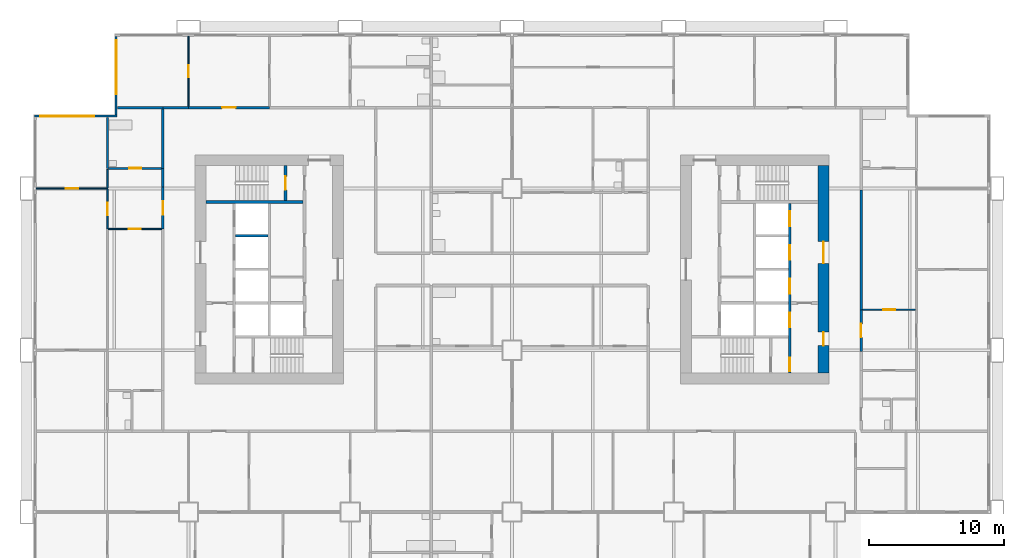
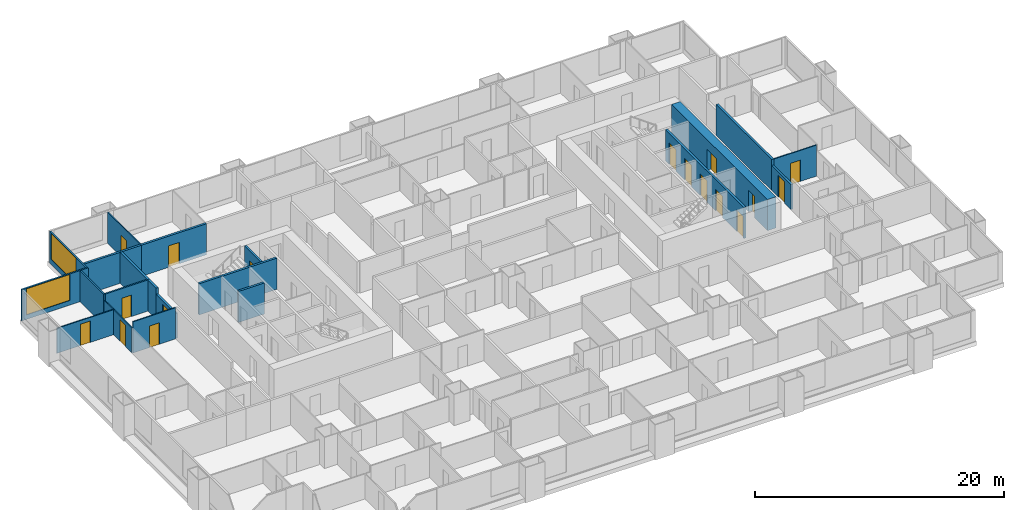
# One storey, part 7 of 13: 23 walls, 17 doors, 2 windows, 19 openings.
"""IFC4 building model written with IfcOpenShell, lengths in metres."""

from ifc_helpers import new_model, si_unit, direction, frame, frame_2d, origin, place, context, subcontext, project, spatial, rectangle, extrude, material, layer, layer_set, type_object, element, fill, save


model = new_model("IFC4")

# Units and contexts
model_context = context("Model", 3, precision=1e-05, world=origin(), true_north=direction((0.0, 1.0)))
body_context = subcontext(model_context, "Body", "Model", "MODEL_VIEW")
ifc_project = project(units=[si_unit("LENGTHUNIT", "METRE"), si_unit("AREAUNIT", "SQUARE_METRE"), si_unit("VOLUMEUNIT", "CUBIC_METRE"), si_unit("PLANEANGLEUNIT", "RADIAN"), si_unit("MASSUNIT", "GRAM", prefix="KILO")], contexts=[model_context])

# Site, building, storey
site_placement = place(None, origin())
site = spatial("IfcSite", under=ifc_project, at=site_placement, CompositionType="ELEMENT")
building_placement = place(site_placement, origin())
building = spatial("IfcBuilding", under=site, at=building_placement, Name="Kitamizu Gate Tower and Museum", CompositionType="ELEMENT")
storey_placement = place(building_placement, frame((0.0, 0.0, 40.35009765625)))
storey = spatial("IfcBuildingStorey", under=building, at=storey_placement, Name="L08", CompositionType="ELEMENT", Elevation=40.35009765625)

# Wall, openings, doors
ifc_material_1 = material(Name="Concrete Fc60", Category="concrete")
ifc_layer_1 = layer(ifc_material_1, 0.800048828125)
ifc_layer_set_1 = layer_set([ifc_layer_1], Name="Concrete Fc60")
wall_type_1 = type_object("IfcWallType", Name="Core wall 800", PredefinedType="SHEAR", material=ifc_layer_set_1)
wall_1_placement = place(storey_placement, frame((59.10009765625, 22.300048828125, 0.0), z_axis=(0.0, 0.0, 1.0), x_axis=(0.0, 1.0, 0.0)))
wall_1 = element("IfcWall", 1, at=wall_1_placement, inside=storey, type_object=wall_type_1, Name="Core wall EOUT", PredefinedType="SHEAR", context=body_context, shape_type="SweptSolid", body=[
    extrude(rectangle(XDim=15.39990234375, YDim=0.800048828125, at=frame_2d((7.699951171875, 0.0))), origin(), (0.0, 0.0, 1.0), 3.0498046875),
])
opening_1_placement = place(wall_1_placement, frame((8.14990234375, 0.0, 0.0)))
opening_1 = element("IfcOpeningElement", 2, at=opening_1_placement, cuts=wall_1, Name="Opening L08-095", PredefinedType="OPENING", context=body_context, shape_type="SweptSolid", body=[
    extrude(rectangle(XDim=1.60009765625, YDim=2.10009765625, at=frame_2d((0.800048828125, 1.050048828125))), frame((0.0, 0.41015625, 0.0), z_axis=(0.0, -1.0, 0.0), x_axis=(1.0, 0.0, 0.0)), (0.0, 0.0, 1.0), 0.820068359375),
])
opening_2_placement = place(wall_1_placement, frame((2.050048828125, 0.0, 0.0)))
opening_2 = element("IfcOpeningElement", 3, at=opening_2_placement, cuts=wall_1, Name="Opening L08-096", PredefinedType="OPENING", context=body_context, shape_type="SweptSolid", body=[
    extrude(rectangle(XDim=1.0, YDim=2.10009765625, at=frame_2d((0.5, 1.050048828125))), frame((0.0, 0.41015625, 0.0), z_axis=(0.0, -1.0, 0.0), x_axis=(1.0, 0.0, 0.0)), (0.0, 0.0, 1.0), 0.820068359375),
])
ifc_material_2 = material(Name="Timber door set", Category="wood")
door_type_1 = type_object("IfcDoorType", Name="Entrance door 1600", OperationType="DOUBLE_DOOR_SINGLE_SWING", PredefinedType="DOOR", material=ifc_material_2)
door_1_placement = place(opening_1_placement, origin())
door_1 = element("IfcDoor", 4, at=door_1_placement, inside=storey, type_object=door_type_1, Name="Lobby door L08-095", OperationType="DOUBLE_DOOR_SINGLE_SWING", OverallHeight=2.10009765625, OverallWidth=1.60009765625, PredefinedType="DOOR", context=body_context, shape_type="SweptSolid", body=[
    extrude(rectangle(XDim=1.60009765625, YDim=2.10009765625, at=frame_2d((0.800048828125, 1.050048828125))), frame((0.0, 0.02490234375, 0.0), z_axis=(0.0, -1.0, 0.0), x_axis=(1.0, 0.0, 0.0)), (0.0, 0.0, 1.0), 0.050048828125),
])
fill(opening_1, door_1)
ifc_material_3 = material(Name="Hollow metal door set")
door_type_2 = type_object("IfcDoorType", Name="Fire door 1000", OperationType="NOTDEFINED", PredefinedType="DOOR", material=ifc_material_3)
door_2_placement = place(opening_2_placement, origin())
door_2 = element("IfcDoor", 5, at=door_2_placement, inside=storey, type_object=door_type_2, Name="Fire-fighting lobby door L08-096", OperationType="SINGLE_SWING_LEFT", OverallHeight=2.10009765625, OverallWidth=1.0, PredefinedType="DOOR", context=body_context, shape_type="SweptSolid", body=[
    extrude(rectangle(XDim=1.0, YDim=2.10009765625, at=frame_2d((0.5, 1.050048828125))), frame((0.0, 0.02490234375, 0.0), z_axis=(0.0, -1.0, 0.0), x_axis=(1.0, 0.0, 0.0)), (0.0, 0.0, 1.0), 0.050048828125),
])
fill(opening_2, door_2)

# Wall, opening, door
ifc_material_4 = material(Name="Gypsum board on galvanised stud")
ifc_layer_2 = layer(ifc_material_4, 0.10009765625)
ifc_layer_set_2 = layer_set([ifc_layer_2], Name="Gypsum board on galvanised stud")
wall_type_2 = type_object("IfcWallType", Name="Partition 100 NOT RATED", PredefinedType="PARTITIONING", material=ifc_layer_set_2)
wall_2_placement = place(storey_placement, frame((12.0, 42.10009765625, 0.0), z_axis=(0.0, 0.0, 1.0), x_axis=(0.0, 1.0, 0.0)))
wall_2 = element("IfcWall", 6, at=wall_2_placement, inside=storey, type_object=wall_type_2, Name="Partition L08-114", PredefinedType="PARTITIONING", context=body_context, shape_type="SweptSolid", body=[
    extrude(rectangle(XDim=5.179931640625, YDim=0.10009765625, at=frame_2d((2.58984375, 0.0))), origin(), (0.0, 0.0, 1.0), 3.0498046875),
])
opening_3_placement = place(wall_2_placement, frame((2.139892578125, 0.0, 0.0)))
opening_3 = element("IfcOpeningElement", 7, at=opening_3_placement, cuts=wall_2, Name="Opening L08-043", PredefinedType="OPENING", context=body_context, shape_type="SweptSolid", body=[
    extrude(rectangle(XDim=0.89990234375, YDim=2.10009765625, at=frame_2d((0.449951171875, 1.050048828125))), frame((0.0, 0.06005859375, 0.0), z_axis=(0.0, -1.0, 0.0), x_axis=(1.0, 0.0, 0.0)), (0.0, 0.0, 1.0), 0.1201171875),
])
ifc_material_5 = material(Name="Timber door set", Category="wood")
door_type_3 = type_object("IfcDoorType", Name="Room door 900", OperationType="NOTDEFINED", PredefinedType="DOOR", material=ifc_material_5)
door_3_placement = place(opening_3_placement, origin())
door_3 = element("IfcDoor", 8, at=door_3_placement, inside=storey, type_object=door_type_3, Name="Door L08-043", OperationType="SINGLE_SWING_LEFT", OverallHeight=2.10009765625, OverallWidth=0.89990234375, PredefinedType="DOOR", context=body_context, shape_type="SweptSolid", body=[
    extrude(rectangle(XDim=0.89990234375, YDim=2.10009765625, at=frame_2d((0.449951171875, 1.050048828125))), frame((0.0, 0.02490234375, 0.0), z_axis=(0.0, -1.0, 0.0), x_axis=(1.0, 0.0, 0.0)), (0.0, 0.0, 1.0), 0.050048828125),
])
fill(opening_3, door_3)

wall_3_placement = place(storey_placement, frame((6.0, 36.0, 0.0), z_axis=(0.0, 0.0, 1.0), x_axis=(-1.0, 0.0, 0.0)))
wall_3 = element("IfcWall", 9, at=wall_3_placement, inside=storey, type_object=wall_type_2, Name="Partition L08-137", PredefinedType="PARTITIONING", context=body_context, shape_type="SweptSolid", body=[
    extrude(rectangle(XDim=5.280029296875, YDim=0.10009765625, at=frame_2d((2.64013671875, 0.0))), origin(), (0.0, 0.0, 1.0), 2.449951171875),
])
opening_4_placement = place(wall_3_placement, frame((2.18994140625, 0.0, 0.0)))
opening_4 = element("IfcOpeningElement", 10, at=opening_4_placement, cuts=wall_3, Name="Opening L08-051", PredefinedType="OPENING", context=body_context, shape_type="SweptSolid", body=[
    extrude(rectangle(XDim=0.89990234375, YDim=2.10009765625, at=frame_2d((0.449951171875, 1.050048828125))), frame((0.0, 0.06005859375, 0.0), z_axis=(0.0, -1.0, 0.0), x_axis=(1.0, 0.0, 0.0)), (0.0, 0.0, 1.0), 0.1201171875),
])
door_4_placement = place(opening_4_placement, frame((0.89990234375, 0.0, 0.0), x_axis=(-1.0, 0.0, 0.0)))
door_4 = element("IfcDoor", 11, at=door_4_placement, inside=storey, type_object=door_type_3, Name="Door L08-051", OperationType="SINGLE_SWING_RIGHT", OverallHeight=2.10009765625, OverallWidth=0.89990234375, PredefinedType="DOOR", context=body_context, shape_type="SweptSolid", body=[
    extrude(rectangle(XDim=0.89990234375, YDim=2.10009765625, at=frame_2d((0.449951171875, 1.050048828125))), frame((0.0, 0.02490234375, 0.0), z_axis=(0.0, -1.0, 0.0), x_axis=(1.0, 0.0, 0.0)), (0.0, 0.0, 1.0), 0.050048828125),
])
fill(opening_4, door_4)

wall_4_placement = place(storey_placement, frame((6.0, 33.0, 0.0), z_axis=(0.0, 0.0, 1.0), x_axis=(0.0, 1.0, 0.0)))
wall_4 = element("IfcWall", 12, at=wall_4_placement, inside=storey, type_object=wall_type_2, Name="Partition L08-139", PredefinedType="PARTITIONING", context=body_context, shape_type="SweptSolid", body=[
    extrude(rectangle(XDim=2.949951171875, YDim=0.10009765625, at=frame_2d((1.47509765625, 0.0))), origin(), (0.0, 0.0, 1.0), 2.449951171875),
])
opening_5_placement = place(wall_4_placement, frame((1.02490234375, 0.0, 0.0)))
opening_5 = element("IfcOpeningElement", 13, at=opening_5_placement, cuts=wall_4, Name="Opening L08-048", PredefinedType="OPENING", context=body_context, shape_type="SweptSolid", body=[
    extrude(rectangle(XDim=0.89990234375, YDim=2.10009765625, at=frame_2d((0.449951171875, 1.050048828125))), frame((0.0, 0.06005859375, 0.0), z_axis=(0.0, -1.0, 0.0), x_axis=(1.0, 0.0, 0.0)), (0.0, 0.0, 1.0), 0.1201171875),
])
door_5_placement = place(opening_5_placement, origin())
door_5 = element("IfcDoor", 14, at=door_5_placement, inside=storey, type_object=door_type_3, Name="Door L08-048", OperationType="SINGLE_SWING_LEFT", OverallHeight=2.10009765625, OverallWidth=0.89990234375, PredefinedType="DOOR", context=body_context, shape_type="SweptSolid", body=[
    extrude(rectangle(XDim=0.89990234375, YDim=2.10009765625, at=frame_2d((0.449951171875, 1.050048828125))), frame((0.0, 0.02490234375, 0.0), z_axis=(0.0, -1.0, 0.0), x_axis=(1.0, 0.0, 0.0)), (0.0, 0.0, 1.0), 0.050048828125),
])
fill(opening_5, door_5)

# Wall
wall_5_placement = place(storey_placement, frame((6.0, 36.050048828125, 0.0), z_axis=(0.0, 0.0, 1.0), x_axis=(0.0, 1.0, 0.0)))
element("IfcWall", 15, at=wall_5_placement, inside=storey, type_object=wall_type_2, Name="Partition L08-140", PredefinedType="PARTITIONING", context=body_context, shape_type="SweptSolid", body=[
    extrude(rectangle(XDim=1.375, YDim=0.10009765625, at=frame_2d((0.6875, 0.0))), origin(), (0.0, 0.0, 1.0), 2.449951171875),
])

# Wall, opening, door
wall_6_placement = place(storey_placement, frame((10.0, 33.0, 0.0), z_axis=(0.0, 0.0, 1.0), x_axis=(-1.0, 0.0, 0.0)))
wall_6 = element("IfcWall", 16, at=wall_6_placement, inside=storey, type_object=wall_type_2, Name="Partition L08-146", PredefinedType="PARTITIONING", context=body_context, shape_type="SweptSolid", body=[
    extrude(rectangle(XDim=3.949951171875, YDim=0.10009765625, at=frame_2d((1.97509765625, 0.0))), origin(), (0.0, 0.0, 1.0), 3.0498046875),
])
opening_6_placement = place(wall_6_placement, frame((1.52490234375, 0.0, 0.0)))
opening_6 = element("IfcOpeningElement", 17, at=opening_6_placement, cuts=wall_6, Name="Opening L08-049", PredefinedType="OPENING", context=body_context, shape_type="SweptSolid", body=[
    extrude(rectangle(XDim=0.89990234375, YDim=2.10009765625, at=frame_2d((0.449951171875, 1.050048828125))), frame((0.0, 0.06005859375, 0.0), z_axis=(0.0, -1.0, 0.0), x_axis=(1.0, 0.0, 0.0)), (0.0, 0.0, 1.0), 0.1201171875),
])
door_6_placement = place(opening_6_placement, frame((0.89990234375, 0.0, 0.0), x_axis=(-1.0, 0.0, 0.0)))
door_6 = element("IfcDoor", 18, at=door_6_placement, inside=storey, type_object=door_type_3, Name="Door L08-049", OperationType="SINGLE_SWING_RIGHT", OverallHeight=2.10009765625, OverallWidth=0.89990234375, PredefinedType="DOOR", context=body_context, shape_type="SweptSolid", body=[
    extrude(rectangle(XDim=0.89990234375, YDim=2.10009765625, at=frame_2d((0.449951171875, 1.050048828125))), frame((0.0, 0.02490234375, 0.0), z_axis=(0.0, -1.0, 0.0), x_axis=(1.0, 0.0, 0.0)), (0.0, 0.0, 1.0), 0.050048828125),
])
fill(opening_6, door_6)

wall_7_placement = place(storey_placement, frame((65.949951171875, 27.0, 0.0), z_axis=(0.0, 0.0, 1.0), x_axis=(-1.0, 0.0, 0.0)))
wall_7 = element("IfcWall", 19, at=wall_7_placement, inside=storey, type_object=wall_type_2, Name="Partition L08-207", PredefinedType="PARTITIONING", context=body_context, shape_type="SweptSolid", body=[
    extrude(rectangle(XDim=3.949951171875, YDim=0.10009765625, at=frame_2d((1.97509765625, 0.0))), origin(), (0.0, 0.0, 1.0), 3.0498046875),
])
opening_7_placement = place(wall_7_placement, frame((1.52490234375, 0.0, 0.0)))
opening_7 = element("IfcOpeningElement", 20, at=opening_7_placement, cuts=wall_7, Name="Opening L08-071", PredefinedType="OPENING", context=body_context, shape_type="SweptSolid", body=[
    extrude(rectangle(XDim=0.89990234375, YDim=2.10009765625, at=frame_2d((0.449951171875, 1.050048828125))), frame((0.0, 0.06005859375, 0.0), z_axis=(0.0, -1.0, 0.0), x_axis=(1.0, 0.0, 0.0)), (0.0, 0.0, 1.0), 0.1201171875),
])
door_7_placement = place(opening_7_placement, origin())
door_7 = element("IfcDoor", 21, at=door_7_placement, inside=storey, type_object=door_type_3, Name="Door L08-071", OperationType="SINGLE_SWING_LEFT", OverallHeight=2.10009765625, OverallWidth=0.89990234375, PredefinedType="DOOR", context=body_context, shape_type="SweptSolid", body=[
    extrude(rectangle(XDim=0.89990234375, YDim=2.10009765625, at=frame_2d((0.449951171875, 1.050048828125))), frame((0.0, 0.02490234375, 0.0), z_axis=(0.0, -1.0, 0.0), x_axis=(1.0, 0.0, 0.0)), (0.0, 0.0, 1.0), 0.050048828125),
])
fill(opening_7, door_7)

# Wall
ifc_material_6 = material(Name="Gypsum board on galvanised stud")
ifc_layer_3 = layer(ifc_material_6, 0.14990234375)
ifc_layer_set_3 = layer_set([ifc_layer_3], Name="Gypsum board on galvanised stud")
wall_type_3 = type_object("IfcWallType", Name="Partition 150", PredefinedType="PARTITIONING", material=ifc_layer_set_3)
wall_8_placement = place(storey_placement, frame((6.0, 37.5, 0.0), z_axis=(0.0, 0.0, 1.0), x_axis=(0.0, 1.0, 0.0)))
element("IfcWall", 22, at=wall_8_placement, inside=storey, type_object=wall_type_3, Name="Partition L08-141", PredefinedType="PARTITIONING", context=body_context, shape_type="SweptSolid", body=[
    extrude(rectangle(XDim=3.780029296875, YDim=0.14990234375, at=frame_2d((1.89013671875, 0.0))), origin(), (0.0, 0.0, 1.0), 3.0498046875),
])

# Wall, opening, door
wall_9_placement = place(storey_placement, frame((10.0, 37.5, 0.0), z_axis=(0.0, 0.0, 1.0), x_axis=(-1.0, 0.0, 0.0)))
wall_9 = element("IfcWall", 23, at=wall_9_placement, inside=storey, type_object=wall_type_3, Name="Partition L08-149", PredefinedType="PARTITIONING", context=body_context, shape_type="SweptSolid", body=[
    extrude(rectangle(XDim=3.925048828125, YDim=0.14990234375, at=frame_2d((1.96240234375, 0.0))), origin(), (0.0, 0.0, 1.0), 3.0498046875),
])
opening_8_placement = place(wall_9_placement, frame((1.512451171875, 0.0, 0.0)))
opening_8 = element("IfcOpeningElement", 24, at=opening_8_placement, cuts=wall_9, Name="Opening L08-054", PredefinedType="OPENING", context=body_context, shape_type="SweptSolid", body=[
    extrude(rectangle(XDim=0.89990234375, YDim=2.10009765625, at=frame_2d((0.449951171875, 1.050048828125))), frame((0.0, 0.0849609375, 0.0), z_axis=(0.0, -1.0, 0.0), x_axis=(1.0, 0.0, 0.0)), (0.0, 0.0, 1.0), 0.169921875),
])
ifc_material_7 = material(Name="Timber door set", Category="wood")
door_type_4 = type_object("IfcDoorType", Name="Bathroom door 900", OperationType="NOTDEFINED", PredefinedType="DOOR", material=ifc_material_7)
door_8_placement = place(opening_8_placement, frame((0.89990234375, 0.0, 0.0), x_axis=(-1.0, 0.0, 0.0)))
door_8 = element("IfcDoor", 25, at=door_8_placement, inside=storey, type_object=door_type_4, Name="Bathroom door L08-054", OperationType="SINGLE_SWING_LEFT", OverallHeight=2.10009765625, OverallWidth=0.89990234375, PredefinedType="DOOR", context=body_context, shape_type="SweptSolid", body=[
    extrude(rectangle(XDim=0.89990234375, YDim=2.10009765625, at=frame_2d((0.449951171875, 1.050048828125))), frame((0.0, 0.02490234375, 0.0), z_axis=(0.0, -1.0, 0.0), x_axis=(1.0, 0.0, 0.0)), (0.0, 0.0, 1.0), 0.050048828125),
])
fill(opening_8, door_8)

# Walls
ifc_material_8 = material(Name="Gypsum board on galvanised stud")
ifc_layer_4 = layer(ifc_material_8, 0.199951171875)
ifc_layer_set_4 = layer_set([ifc_layer_4], Name="Gypsum board on galvanised stud")
wall_type_4 = type_object("IfcWallType", Name="Partition 200", PredefinedType="PARTITIONING", material=ifc_layer_set_4)
wall_10_placement = place(storey_placement, frame((6.719970703125, 42.0, 0.0), z_axis=(0.0, 0.0, 1.0), x_axis=(1.0, 0.0, 0.0)))
element("IfcWall", 26, at=wall_10_placement, inside=storey, type_object=wall_type_4, Name="Partition L08-115", PredefinedType="PARTITIONING", context=body_context, shape_type="SweptSolid", body=[
    extrude(rectangle(XDim=3.380126953125, YDim=0.199951171875, at=frame_2d((1.68994140625, 0.0))), origin(), (0.0, 0.0, 1.0), 3.0498046875),
])
wall_11_placement = place(storey_placement, frame((10.10009765625, 42.0, 0.0), z_axis=(0.0, 0.0, 1.0), x_axis=(1.0, 0.0, 0.0)))
element("IfcWall", 27, at=wall_11_placement, inside=storey, type_object=wall_type_4, Name="Partition L08-116", PredefinedType="PARTITIONING", context=body_context, shape_type="SweptSolid", body=[
    extrude(rectangle(XDim=1.89990234375, YDim=0.199951171875, at=frame_2d((0.949951171875, 0.0))), origin(), (0.0, 0.0, 1.0), 3.0498046875),
])

# Wall, opening, door
wall_12_placement = place(storey_placement, frame((12.0, 42.0, 0.0), z_axis=(0.0, 0.0, 1.0), x_axis=(1.0, 0.0, 0.0)))
wall_12 = element("IfcWall", 28, at=wall_12_placement, inside=storey, type_object=wall_type_4, Name="Partition L08-118", PredefinedType="PARTITIONING", context=body_context, shape_type="SweptSolid", body=[
    extrude(rectangle(XDim=6.0, YDim=0.199951171875, at=frame_2d((3.0, 0.0))), origin(), (0.0, 0.0, 1.0), 3.0498046875),
])
opening_9_placement = place(wall_12_placement, frame((2.5, 0.0, 0.0)))
opening_9 = element("IfcOpeningElement", 29, at=opening_9_placement, cuts=wall_12, Name="Opening L08-042", PredefinedType="OPENING", context=body_context, shape_type="SweptSolid", body=[
    extrude(rectangle(XDim=1.0, YDim=2.10009765625, at=frame_2d((0.5, 1.050048828125))), frame((0.0, 0.10986328125, 0.0), z_axis=(0.0, -1.0, 0.0), x_axis=(1.0, 0.0, 0.0)), (0.0, 0.0, 1.0), 0.219970703125),
])
ifc_material_9 = material(Name="Timber door set", Category="wood")
door_type_5 = type_object("IfcDoorType", Name="Flat entrance door 1000", OperationType="NOTDEFINED", PredefinedType="DOOR", material=ifc_material_9)
door_9_placement = place(opening_9_placement, origin())
door_9 = element("IfcDoor", 30, at=door_9_placement, inside=storey, type_object=door_type_5, Name="Flat entrance door L08-042", OperationType="SINGLE_SWING_RIGHT", OverallHeight=2.10009765625, OverallWidth=1.0, PredefinedType="DOOR", context=body_context, shape_type="SweptSolid", body=[
    extrude(rectangle(XDim=1.0, YDim=2.10009765625, at=frame_2d((0.5, 1.050048828125))), frame((0.0, 0.02490234375, 0.0), z_axis=(0.0, -1.0, 0.0), x_axis=(1.0, 0.0, 0.0)), (0.0, 0.0, 1.0), 0.050048828125),
])
fill(opening_9, door_9)

wall_13_placement = place(storey_placement, frame((10.10009765625, 33.0, 0.0), z_axis=(0.0, 0.0, 1.0), x_axis=(0.0, 1.0, 0.0)))
wall_13 = element("IfcWall", 31, at=wall_13_placement, inside=storey, type_object=wall_type_4, Name="Partition L08-150", PredefinedType="PARTITIONING", context=body_context, shape_type="SweptSolid", body=[
    extrude(rectangle(XDim=3.10009765625, YDim=0.199951171875, at=frame_2d((1.550048828125, 0.0))), origin(), (0.0, 0.0, 1.0), 2.449951171875),
])
opening_10_placement = place(wall_13_placement, frame((1.050048828125, 0.0, 0.0)))
opening_10 = element("IfcOpeningElement", 32, at=opening_10_placement, cuts=wall_13, Name="Opening L08-047", PredefinedType="OPENING", context=body_context, shape_type="SweptSolid", body=[
    extrude(rectangle(XDim=1.0, YDim=2.10009765625, at=frame_2d((0.5, 1.050048828125))), frame((0.0, 0.10986328125, 0.0), z_axis=(0.0, -1.0, 0.0), x_axis=(1.0, 0.0, 0.0)), (0.0, 0.0, 1.0), 0.219970703125),
])
door_10_placement = place(opening_10_placement, origin())
door_10 = element("IfcDoor", 33, at=door_10_placement, inside=storey, type_object=door_type_5, Name="Flat entrance door L08-047", OperationType="SINGLE_SWING_RIGHT", OverallHeight=2.10009765625, OverallWidth=1.0, PredefinedType="DOOR", context=body_context, shape_type="SweptSolid", body=[
    extrude(rectangle(XDim=1.0, YDim=2.10009765625, at=frame_2d((0.5, 1.050048828125))), frame((0.0, 0.02490234375, 0.0), z_axis=(0.0, -1.0, 0.0), x_axis=(1.0, 0.0, 0.0)), (0.0, 0.0, 1.0), 0.050048828125),
])
fill(opening_10, door_10)

# Walls
wall_14_placement = place(storey_placement, frame((10.10009765625, 36.10009765625, 0.0), z_axis=(0.0, 0.0, 1.0), x_axis=(0.0, 1.0, 0.0)))
element("IfcWall", 34, at=wall_14_placement, inside=storey, type_object=wall_type_4, Name="Partition L08-151", PredefinedType="PARTITIONING", context=body_context, shape_type="SweptSolid", body=[
    extrude(rectangle(XDim=1.39990234375, YDim=0.199951171875, at=frame_2d((0.699951171875, 0.0))), origin(), (0.0, 0.0, 1.0), 3.0498046875),
])
wall_15_placement = place(storey_placement, frame((10.10009765625, 37.5, 0.0), z_axis=(0.0, 0.0, 1.0), x_axis=(0.0, 1.0, 0.0)))
element("IfcWall", 35, at=wall_15_placement, inside=storey, type_object=wall_type_4, Name="Partition L08-152", PredefinedType="PARTITIONING", context=body_context, shape_type="SweptSolid", body=[
    extrude(rectangle(XDim=4.39990234375, YDim=0.199951171875, at=frame_2d((2.199951171875, 0.0))), origin(), (0.0, 0.0, 1.0), 3.0498046875),
])

# Wall, opening, door
wall_16_placement = place(storey_placement, frame((61.89990234375, 27.0, 0.0), z_axis=(0.0, 0.0, 1.0), x_axis=(0.0, -1.0, 0.0)))
wall_16 = element("IfcWall", 36, at=wall_16_placement, inside=storey, type_object=wall_type_4, Name="Partition L08-208", PredefinedType="PARTITIONING", context=body_context, shape_type="SweptSolid", body=[
    extrude(rectangle(XDim=3.10009765625, YDim=0.199951171875, at=frame_2d((1.550048828125, 0.0))), origin(), (0.0, 0.0, 1.0), 2.449951171875),
])
opening_11_placement = place(wall_16_placement, frame((1.050048828125, 0.0, 0.0)))
opening_11 = element("IfcOpeningElement", 37, at=opening_11_placement, cuts=wall_16, Name="Opening L08-069", PredefinedType="OPENING", context=body_context, shape_type="SweptSolid", body=[
    extrude(rectangle(XDim=1.0, YDim=2.10009765625, at=frame_2d((0.5, 1.050048828125))), frame((0.0, 0.10986328125, 0.0), z_axis=(0.0, -1.0, 0.0), x_axis=(1.0, 0.0, 0.0)), (0.0, 0.0, 1.0), 0.219970703125),
])
door_11_placement = place(opening_11_placement, origin())
door_11 = element("IfcDoor", 38, at=door_11_placement, inside=storey, type_object=door_type_5, Name="Flat entrance door L08-069", OperationType="SINGLE_SWING_RIGHT", OverallHeight=2.10009765625, OverallWidth=1.0, PredefinedType="DOOR", context=body_context, shape_type="SweptSolid", body=[
    extrude(rectangle(XDim=1.0, YDim=2.10009765625, at=frame_2d((0.5, 1.050048828125))), frame((0.0, 0.02490234375, 0.0), z_axis=(0.0, -1.0, 0.0), x_axis=(1.0, 0.0, 0.0)), (0.0, 0.0, 1.0), 0.050048828125),
])
fill(opening_11, door_11)

# Walls
wall_17_placement = place(storey_placement, frame((61.89990234375, 35.89990234375, 0.0), z_axis=(0.0, 0.0, 1.0), x_axis=(0.0, -1.0, 0.0)))
element("IfcWall", 39, at=wall_17_placement, inside=storey, type_object=wall_type_4, Name="Partition L08-212", PredefinedType="PARTITIONING", context=body_context, shape_type="SweptSolid", body=[
    extrude(rectangle(XDim=8.89990234375, YDim=0.199951171875, at=frame_2d((4.449951171875, 0.0))), origin(), (0.0, 0.0, 1.0), 3.0498046875),
])
ifc_material_10 = material(Name="Concrete Fc42", Category="concrete")
ifc_layer_5 = layer(ifc_material_10, 0.199951171875)
ifc_layer_set_5 = layer_set([ifc_layer_5], Name="Concrete Fc42")
wall_type_5 = type_object("IfcWallType", Name="Shaft wall 200", PredefinedType="SOLIDWALL", material=ifc_layer_set_5)
wall_18_placement = place(storey_placement, frame((13.300048828125, 35.0, 0.0), z_axis=(0.0, 0.0, 1.0), x_axis=(1.0, 0.0, 0.0)))
element("IfcWall", 40, at=wall_18_placement, inside=storey, type_object=wall_type_5, Name="Shaft wall WNB", PredefinedType="SOLIDWALL", context=body_context, shape_type="SweptSolid", body=[
    extrude(rectangle(XDim=7.199951171875, YDim=0.199951171875, at=frame_2d((3.60009765625, 0.0))), origin(), (0.0, 0.0, 1.0), 3.0498046875),
])

# Wall, opening, door
wall_19_placement = place(storey_placement, frame((19.199951171875, 35.10009765625, 0.0), z_axis=(0.0, 0.0, 1.0), x_axis=(0.0, 1.0, 0.0)))
wall_19 = element("IfcWall", 41, at=wall_19_placement, inside=storey, type_object=wall_type_5, Name="Shaft wall WNZ", PredefinedType="SOLIDWALL", context=body_context, shape_type="SweptSolid", body=[
    extrude(rectangle(XDim=2.599853515625, YDim=0.199951171875, at=frame_2d((1.2998046875, 0.0))), origin(), (0.0, 0.0, 1.0), 3.0498046875),
])
opening_12_placement = place(wall_19_placement, frame((0.800048828125, 0.0, 0.0)))
opening_12 = element("IfcOpeningElement", 42, at=opening_12_placement, cuts=wall_19, Name="Opening L08-082", PredefinedType="OPENING", context=body_context, shape_type="SweptSolid", body=[
    extrude(rectangle(XDim=1.0, YDim=2.10009765625, at=frame_2d((0.5, 1.050048828125))), frame((0.0, 0.10986328125, 0.0), z_axis=(0.0, -1.0, 0.0), x_axis=(1.0, 0.0, 0.0)), (0.0, 0.0, 1.0), 0.219970703125),
])
door_12_placement = place(opening_12_placement, origin())
door_12 = element("IfcDoor", 43, at=door_12_placement, inside=storey, type_object=door_type_2, Name="Stair door L08-082", OperationType="SINGLE_SWING_LEFT", OverallHeight=2.10009765625, OverallWidth=1.0, PredefinedType="DOOR", context=body_context, shape_type="SweptSolid", body=[
    extrude(rectangle(XDim=1.0, YDim=2.10009765625, at=frame_2d((0.5, 1.050048828125))), frame((0.0, 0.02490234375, 0.0), z_axis=(0.0, -1.0, 0.0), x_axis=(1.0, 0.0, 0.0)), (0.0, 0.0, 1.0), 0.050048828125),
])
fill(opening_12, door_12)

# Wall
wall_20_placement = place(storey_placement, frame((15.5, 32.5, 0.0), z_axis=(0.0, 0.0, 1.0), x_axis=(1.0, 0.0, 0.0)))
element("IfcWall", 44, at=wall_20_placement, inside=storey, type_object=wall_type_5, Name="Shaft wall WDVW2", PredefinedType="SOLIDWALL", context=body_context, shape_type="SweptSolid", body=[
    extrude(rectangle(XDim=2.39990234375, YDim=0.199951171875, at=frame_2d((1.199951171875, 0.0))), origin(), (0.0, 0.0, 1.0), 3.0498046875),
])

# Wall, openings, doors
wall_21_placement = place(storey_placement, frame((56.60009765625, 22.300048828125, 0.0), z_axis=(0.0, 0.0, 1.0), x_axis=(0.0, 1.0, 0.0)))
wall_21 = element("IfcWall", 45, at=wall_21_placement, inside=storey, type_object=wall_type_5, Name="Shaft wall EWEST", PredefinedType="SOLIDWALL", context=body_context, shape_type="SweptSolid", body=[
    extrude(rectangle(XDim=12.599853515625, YDim=0.199951171875, at=frame_2d((6.2998046875, 0.0))), origin(), (0.0, 0.0, 1.0), 3.0498046875),
])
opening_13_placement = place(wall_21_placement, frame((3.39990234375, 0.0, 0.0)))
opening_13 = element("IfcOpeningElement", 46, at=opening_13_placement, cuts=wall_21, Name="Opening LD", PredefinedType="OPENING", context=body_context, shape_type="SweptSolid", body=[
    extrude(rectangle(XDim=1.10009765625, YDim=2.10009765625, at=frame_2d((0.550048828125, 1.050048828125))), frame((0.0, 0.10986328125, 0.0), z_axis=(0.0, -1.0, 0.0), x_axis=(1.0, 0.0, 0.0)), (0.0, 0.0, 1.0), 0.219970703125),
])
opening_14_placement = place(wall_21_placement, frame((5.89990234375, 0.0, 0.0)))
opening_14 = element("IfcOpeningElement", 47, at=opening_14_placement, cuts=wall_21, Name="Opening LD", PredefinedType="OPENING", context=body_context, shape_type="SweptSolid", body=[
    extrude(rectangle(XDim=1.10009765625, YDim=2.10009765625, at=frame_2d((0.550048828125, 1.050048828125))), frame((0.0, 0.10986328125, 0.0), z_axis=(0.0, -1.0, 0.0), x_axis=(1.0, 0.0, 0.0)), (0.0, 0.0, 1.0), 0.219970703125),
])
opening_15_placement = place(wall_21_placement, frame((8.39990234375, 0.0, 0.0)))
opening_15 = element("IfcOpeningElement", 48, at=opening_15_placement, cuts=wall_21, Name="Opening LD", PredefinedType="OPENING", context=body_context, shape_type="SweptSolid", body=[
    extrude(rectangle(XDim=1.10009765625, YDim=2.10009765625, at=frame_2d((0.550048828125, 1.050048828125))), frame((0.0, 0.10986328125, 0.0), z_axis=(0.0, -1.0, 0.0), x_axis=(1.0, 0.0, 0.0)), (0.0, 0.0, 1.0), 0.219970703125),
])
opening_16_placement = place(wall_21_placement, frame((10.89990234375, 0.0, 0.0)))
opening_16 = element("IfcOpeningElement", 49, at=opening_16_placement, cuts=wall_21, Name="Opening LD", PredefinedType="OPENING", context=body_context, shape_type="SweptSolid", body=[
    extrude(rectangle(XDim=1.10009765625, YDim=2.10009765625, at=frame_2d((0.550048828125, 1.050048828125))), frame((0.0, 0.10986328125, 0.0), z_axis=(0.0, -1.0, 0.0), x_axis=(1.0, 0.0, 0.0)), (0.0, 0.0, 1.0), 0.219970703125),
])
opening_17_placement = place(wall_21_placement, frame((0.14990234375, 0.0, 0.0)))
opening_17 = element("IfcOpeningElement", 50, at=opening_17_placement, cuts=wall_21, Name="Opening L08-091", PredefinedType="OPENING", context=body_context, shape_type="SweptSolid", body=[
    extrude(rectangle(XDim=1.0, YDim=2.10009765625, at=frame_2d((0.5, 1.050048828125))), frame((0.0, 0.10986328125, 0.0), z_axis=(0.0, -1.0, 0.0), x_axis=(1.0, 0.0, 0.0)), (0.0, 0.0, 1.0), 0.219970703125),
])
door_13_placement = place(opening_17_placement, origin())
door_13 = element("IfcDoor", 51, at=door_13_placement, inside=storey, type_object=door_type_2, Name="Stair lobby door L08-091", OperationType="SINGLE_SWING_RIGHT", OverallHeight=2.10009765625, OverallWidth=1.0, PredefinedType="DOOR", context=body_context, shape_type="SweptSolid", body=[
    extrude(rectangle(XDim=1.0, YDim=2.10009765625, at=frame_2d((0.5, 1.050048828125))), frame((0.0, 0.02490234375, 0.0), z_axis=(0.0, -1.0, 0.0), x_axis=(1.0, 0.0, 0.0)), (0.0, 0.0, 1.0), 0.050048828125),
])
fill(opening_17, door_13)
ifc_material_11 = material(Name="Hollow metal door set")
door_type_6 = type_object("IfcDoorType", Name="Landing door 1100", OperationType="SLIDING_TO_LEFT", PredefinedType="DOOR", material=ifc_material_11)
door_14_placement = place(opening_13_placement, origin())
door_14 = element("IfcDoor", 52, at=door_14_placement, inside=storey, type_object=door_type_6, Name="Landing door EFF1", OperationType="SLIDING_TO_LEFT", OverallHeight=2.10009765625, OverallWidth=1.10009765625, PredefinedType="DOOR", context=body_context, shape_type="SweptSolid", body=[
    extrude(rectangle(XDim=1.10009765625, YDim=2.10009765625, at=frame_2d((0.550048828125, 1.050048828125))), frame((0.0, 0.02490234375, 0.0), z_axis=(0.0, -1.0, 0.0), x_axis=(1.0, 0.0, 0.0)), (0.0, 0.0, 1.0), 0.050048828125),
])
fill(opening_13, door_14)
door_15_placement = place(opening_14_placement, origin())
door_15 = element("IfcDoor", 53, at=door_15_placement, inside=storey, type_object=door_type_6, Name="Landing door EL1", OperationType="SLIDING_TO_LEFT", OverallHeight=2.10009765625, OverallWidth=1.10009765625, PredefinedType="DOOR", context=body_context, shape_type="SweptSolid", body=[
    extrude(rectangle(XDim=1.10009765625, YDim=2.10009765625, at=frame_2d((0.550048828125, 1.050048828125))), frame((0.0, 0.02490234375, 0.0), z_axis=(0.0, -1.0, 0.0), x_axis=(1.0, 0.0, 0.0)), (0.0, 0.0, 1.0), 0.050048828125),
])
fill(opening_14, door_15)
door_16_placement = place(opening_15_placement, origin())
door_16 = element("IfcDoor", 54, at=door_16_placement, inside=storey, type_object=door_type_6, Name="Landing door EL2", OperationType="SLIDING_TO_LEFT", OverallHeight=2.10009765625, OverallWidth=1.10009765625, PredefinedType="DOOR", context=body_context, shape_type="SweptSolid", body=[
    extrude(rectangle(XDim=1.10009765625, YDim=2.10009765625, at=frame_2d((0.550048828125, 1.050048828125))), frame((0.0, 0.02490234375, 0.0), z_axis=(0.0, -1.0, 0.0), x_axis=(1.0, 0.0, 0.0)), (0.0, 0.0, 1.0), 0.050048828125),
])
fill(opening_15, door_16)
door_17_placement = place(opening_16_placement, origin())
door_17 = element("IfcDoor", 55, at=door_17_placement, inside=storey, type_object=door_type_6, Name="Landing door EL3", OperationType="SLIDING_TO_LEFT", OverallHeight=2.10009765625, OverallWidth=1.10009765625, PredefinedType="DOOR", context=body_context, shape_type="SweptSolid", body=[
    extrude(rectangle(XDim=1.10009765625, YDim=2.10009765625, at=frame_2d((0.550048828125, 1.050048828125))), frame((0.0, 0.02490234375, 0.0), z_axis=(0.0, -1.0, 0.0), x_axis=(1.0, 0.0, 0.0)), (0.0, 0.0, 1.0), 0.050048828125),
])
fill(opening_16, door_17)

# Wall, opening, window
ifc_material_12 = material(Name="Bronze anodised aluminium frame with insulated spandrel and tinted glass", Category="aluminium")
ifc_layer_6 = layer(ifc_material_12, 0.14990234375)
ifc_layer_set_6 = layer_set([ifc_layer_6], Name="Bronze anodised aluminium frame with insulated spandrel and tinted glass")
wall_type_6 = type_object("IfcWallType", Name="WINDOW WALL 150 BRONZE FRAME EI 30", PredefinedType="ELEMENTEDWALL", material=ifc_layer_set_6)
wall_22_placement = place(storey_placement, frame((6.635009765625, 41.43994140625, 0.0), z_axis=(0.0, 0.0, 1.0), x_axis=(0.0, 1.0, 0.0)))
wall_22 = element("IfcWall", 56, at=wall_22_placement, inside=storey, type_object=wall_type_6, Name="Window wall west L08", PredefinedType="ELEMENTEDWALL", context=body_context, shape_type="SweptSolid", body=[
    extrude(rectangle(XDim=5.85009765625, YDim=0.14990234375, at=frame_2d((2.925048828125, 0.0))), origin(), (0.0, 0.0, 1.0), 3.0498046875),
])
opening_18_placement = place(wall_22_placement, frame((1.56005859375, 0.0, 0.449951171875)))
opening_18 = element("IfcOpeningElement", 57, at=opening_18_placement, cuts=wall_22, Name="Opening W16", PredefinedType="OPENING", context=body_context, shape_type="SweptSolid", body=[
    extrude(rectangle(XDim=4.0, YDim=2.550048828125, at=frame_2d((2.0, 1.27490234375))), frame((0.0, 0.0849609375, 0.0), z_axis=(0.0, -1.0, 0.0), x_axis=(1.0, 0.0, 0.0)), (0.0, 0.0, 1.0), 0.169921875),
])
ifc_material_13 = material(Name="Bronze anodised aluminium frame, tinted triple glazing", Category="aluminium")
window_type = type_object("IfcWindowType", Name="WINDOW 4000 x 2550 SILL 450", PartitioningType="SINGLE_PANEL", PredefinedType="WINDOW", material=ifc_material_13)
window_1_placement = place(opening_18_placement, origin())
window_1 = element("IfcWindow", 58, at=window_1_placement, inside=storey, type_object=window_type, Name="Window W16 L08", OverallHeight=2.550048828125, OverallWidth=4.0, PartitioningType="SINGLE_PANEL", PredefinedType="WINDOW", context=body_context, shape_type="SweptSolid", body=[
    extrude(rectangle(XDim=4.0, YDim=2.550048828125, at=frame_2d((2.0, 1.27490234375))), frame((0.0, 0.030029296875, 0.0), z_axis=(0.0, -1.0, 0.0), x_axis=(1.0, 0.0, 0.0)), (0.0, 0.0, 1.0), 0.06005859375),
])
fill(opening_18, window_1)

wall_23_placement = place(storey_placement, frame((0.56005859375, 41.364990234375, 0.0), z_axis=(0.0, 0.0, 1.0), x_axis=(1.0, 0.0, 0.0)))
wall_23 = element("IfcWall", 59, at=wall_23_placement, inside=storey, type_object=wall_type_6, Name="Window wall north L08", PredefinedType="ELEMENTEDWALL", context=body_context, shape_type="SweptSolid", body=[
    extrude(rectangle(XDim=6.14990234375, YDim=0.14990234375, at=frame_2d((3.074951171875, 0.0))), origin(), (0.0, 0.0, 1.0), 3.0498046875),
])
opening_19_placement = place(wall_23_placement, frame((0.43994140625, 0.0, 0.449951171875)))
opening_19 = element("IfcOpeningElement", 60, at=opening_19_placement, cuts=wall_23, Name="Opening W16", PredefinedType="OPENING", context=body_context, shape_type="SweptSolid", body=[
    extrude(rectangle(XDim=4.0, YDim=2.550048828125, at=frame_2d((2.0, 1.27490234375))), frame((0.0, 0.0849609375, 0.0), z_axis=(0.0, -1.0, 0.0), x_axis=(1.0, 0.0, 0.0)), (0.0, 0.0, 1.0), 0.169921875),
])
window_2_placement = place(opening_19_placement, origin())
window_2 = element("IfcWindow", 61, at=window_2_placement, inside=storey, type_object=window_type, Name="Window W16 L08", OverallHeight=2.550048828125, OverallWidth=4.0, PartitioningType="SINGLE_PANEL", PredefinedType="WINDOW", context=body_context, shape_type="SweptSolid", body=[
    extrude(rectangle(XDim=4.0, YDim=2.550048828125, at=frame_2d((2.0, 1.27490234375))), frame((0.0, 0.030029296875, 0.0), z_axis=(0.0, -1.0, 0.0), x_axis=(1.0, 0.0, 0.0)), (0.0, 0.0, 1.0), 0.06005859375),
])
fill(opening_19, window_2)

save(model, "model.ifc")
